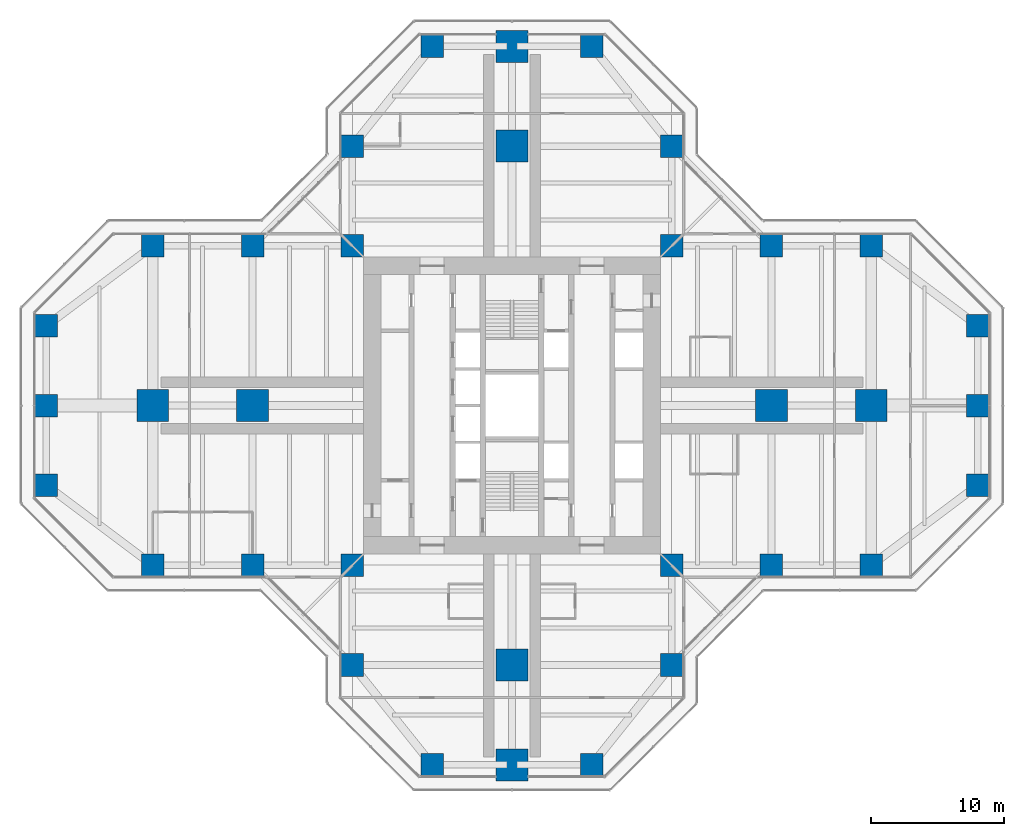
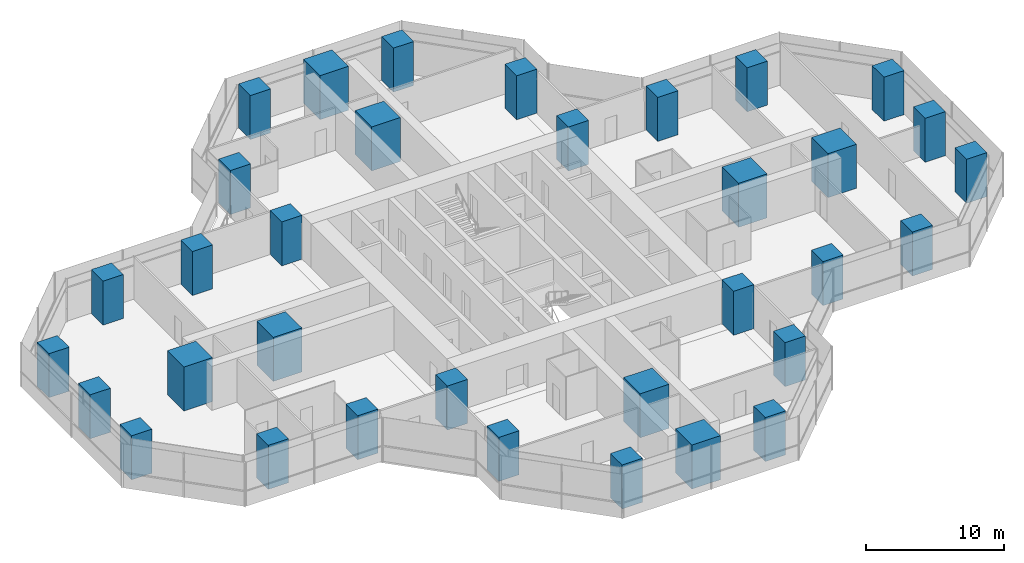
# One storey, part 1 of 19: 34 columns.
"""IFC4 building model written with IfcOpenShell, lengths in metres."""

from ifc_helpers import new_model, si_unit, direction, frame, origin, origin_2d, place, context, subcontext, project, spatial, rectangle, extrude, material, material_profile, profile_set, type_object, element, save


model = new_model("IFC4")

# Units and contexts
model_context = context("Model", 3, precision=1e-05, world=origin(), true_north=direction((0.0, 1.0)))
body_context = subcontext(model_context, "Body", "Model", "MODEL_VIEW")
ifc_project = project(units=[si_unit("LENGTHUNIT", "METRE"), si_unit("AREAUNIT", "SQUARE_METRE"), si_unit("VOLUMEUNIT", "CUBIC_METRE"), si_unit("PLANEANGLEUNIT", "RADIAN"), si_unit("MASSUNIT", "GRAM", prefix="KILO")], contexts=[model_context])

# Site, building, storey
site_placement = place(None, origin())
site = spatial("IfcSite", under=ifc_project, at=site_placement, CompositionType="ELEMENT")
building_placement = place(site_placement, origin())
building = spatial("IfcBuilding", under=site, at=building_placement, Name="Mizan Broadcast Tower", CompositionType="ELEMENT")
storey_placement = place(building_placement, frame((0.0, 0.0, 182.699951171875)))
storey = spatial("IfcBuildingStorey", under=building, at=storey_placement, Name="L42", CompositionType="ELEMENT", Elevation=182.699951171875)

# Columns
ifc_material_1 = material(Name="Concrete C70/85", Category="concrete")
ifc_material_profile_1 = material_profile(ifc_material_1, rectangle(XDim=1.699951171875, YDim=1.699951171875, at=origin_2d()), Name="RC 1700x1700")
ifc_profile_set_1 = profile_set([ifc_material_profile_1], Name="Concrete C70/85")
column_type_1 = type_object("IfcColumnType", Name="RC COLUMN 1700x1700 C70/85", PredefinedType="COLUMN", material=ifc_profile_set_1)
for number, where, z_axis, x_axis, name in (
    (1, (-6.0, -27.0, 0.0), (0.0, 0.0, 1.0), (1.0, 0.0, 0.0), "Column 5/B L42"),
    (2, (6.0, -27.0, 0.0), (0.0, 0.0, 1.0), (1.0, 0.0, 0.0), "Column 7/B L42"),
    (3, (-12.0, -19.5, 0.0), (0.0, 0.0, 1.0), (1.0, 0.0, 0.0), "Column 4/C L42"),
    (4, (12.0, -19.5, 0.0), (0.0, 0.0, 1.0), (1.0, 0.0, 0.0), "Column 8/C L42"),
    (5, (-27.0, -12.0, 0.0), (0.0, 0.0, 1.0), (1.0, 0.0, 0.0), "Column 2/D L42"),
    (6, (-19.5, -12.0, 0.0), (0.0, 0.0, 1.0), (1.0, 0.0, 0.0), "Column 3/D L42"),
    (7, (-12.0, -12.0, 0.0), (0.0, 0.0, 1.0), (1.0, 0.0, 0.0), "Column 4/D L42"),
    (8, (12.0, -12.0, 0.0), (0.0, 0.0, 1.0), (1.0, 0.0, 0.0), "Column 8/D L42"),
    (9, (19.5, -12.0, 0.0), (0.0, 0.0, 1.0), (1.0, 0.0, 0.0), "Column 9/D L42"),
    (10, (27.0, -12.0, 0.0), (0.0, 0.0, 1.0), (1.0, 0.0, 0.0), "Column 10/D L42"),
    (11, (-35.0, -6.0, 0.0), (0.0, 0.0, 1.0), (1.0, 0.0, 0.0), "Column 1/E L42"),
    (12, (35.0, -6.0, 0.0), (0.0, 0.0, 1.0), (1.0, 0.0, 0.0), "Column 11/E L42"),
    (13, (-35.0, 0.0, 0.0), (0.0, 0.0, 1.0), (1.0, 0.0, 0.0), "Column 1/F L42"),
    (14, (35.0, 0.0, 0.0), (0.0, 0.0, 1.0), (1.0, 0.0, 0.0), "Column 11/F L42"),
    (15, (-35.0, 6.0, 0.0), (0.0, 0.0, 1.0), (1.0, 0.0, 0.0), "Column 1/G L42"),
    (16, (35.0, 6.0, 0.0), (0.0, 0.0, 1.0), (1.0, 0.0, 0.0), "Column 11/G L42"),
    (17, (-27.0, 12.0, 0.0), (0.0, 0.0, 1.0), (1.0, 0.0, 0.0), "Column 2/H L42"),
    (18, (-19.5, 12.0, 0.0), (0.0, 0.0, 1.0), (1.0, 0.0, 0.0), "Column 3/H L42"),
    (19, (-12.0, 12.0, 0.0), (0.0, 0.0, 1.0), (1.0, 0.0, 0.0), "Column 4/H L42"),
    (20, (12.0, 12.0, 0.0), (0.0, 0.0, 1.0), (1.0, 0.0, 0.0), "Column 8/H L42"),
    (21, (19.5, 12.0, 0.0), (0.0, 0.0, 1.0), (1.0, 0.0, 0.0), "Column 9/H L42"),
    (22, (27.0, 12.0, 0.0), (0.0, 0.0, 1.0), (1.0, 0.0, 0.0), "Column 10/H L42"),
    (23, (-12.0, 19.5, 0.0), (0.0, 0.0, 1.0), (1.0, 0.0, 0.0), "Column 4/J L42"),
    (24, (12.0, 19.5, 0.0), (0.0, 0.0, 1.0), (1.0, 0.0, 0.0), "Column 8/J L42"),
    (25, (-6.0, 27.0, 0.0), (0.0, 0.0, 1.0), (1.0, 0.0, 0.0), "Column 5/K L42"),
    (26, (6.0, 27.0, 0.0), (0.0, 0.0, 1.0), (1.0, 0.0, 0.0), "Column 7/K L42"),
):
    element("IfcColumn", number, at=place(storey_placement, frame(where, z_axis=z_axis, x_axis=x_axis)), inside=storey, type_object=column_type_1, Name=name, PredefinedType="COLUMN", context=body_context, shape_type="SweptSolid", body=[
        extrude(rectangle(XDim=1.699951171875, YDim=1.699951171875, at=origin_2d()), origin(), (0.0, 0.0, 1.0), 3.900146484375),
    ])
ifc_material_2 = material(Name="Concrete C70/85", Category="concrete")
ifc_material_profile_2 = material_profile(ifc_material_2, rectangle(XDim=2.39990234375, YDim=2.39990234375, at=origin_2d()), Name="RC 2400x2400")
ifc_profile_set_2 = profile_set([ifc_material_profile_2], Name="Concrete C70/85")
column_type_2 = type_object("IfcColumnType", Name="RC COLUMN 2400x2400 C70/85", PredefinedType="COLUMN", material=ifc_profile_set_2)
for number, where, z_axis, x_axis, name in (
    (27, (0.0, -27.0, 0.0), (0.0, 0.0, 1.0), (1.0, 0.0, 0.0), "Column 6/B L42"),
    (28, (0.0, -19.5, 0.0), (0.0, 0.0, 1.0), (1.0, 0.0, 0.0), "Column 6/C L42"),
    (29, (-27.0, 0.0, 0.0), (0.0, 0.0, 1.0), (1.0, 0.0, 0.0), "Column 2/F L42"),
    (30, (-19.5, 0.0, 0.0), (0.0, 0.0, 1.0), (1.0, 0.0, 0.0), "Column 3/F L42"),
    (31, (19.5, 0.0, 0.0), (0.0, 0.0, 1.0), (1.0, 0.0, 0.0), "Column 9/F L42"),
    (32, (27.0, 0.0, 0.0), (0.0, 0.0, 1.0), (1.0, 0.0, 0.0), "Column 10/F L42"),
    (33, (0.0, 19.5, 0.0), (0.0, 0.0, 1.0), (1.0, 0.0, 0.0), "Column 6/J L42"),
    (34, (0.0, 27.0, 0.0), (0.0, 0.0, 1.0), (1.0, 0.0, 0.0), "Column 6/K L42"),
):
    element("IfcColumn", number, at=place(storey_placement, frame(where, z_axis=z_axis, x_axis=x_axis)), inside=storey, type_object=column_type_2, Name=name, PredefinedType="COLUMN", context=body_context, shape_type="SweptSolid", body=[
        extrude(rectangle(XDim=2.39990234375, YDim=2.39990234375, at=origin_2d()), origin(), (0.0, 0.0, 1.0), 3.900146484375),
    ])

save(model, "model.ifc")
